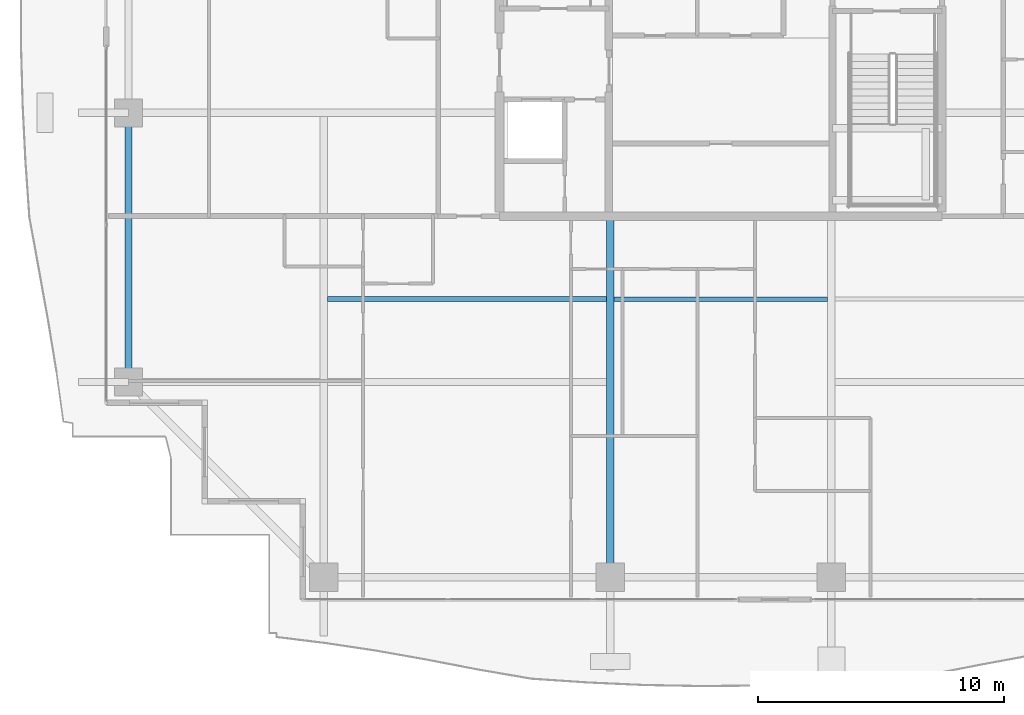
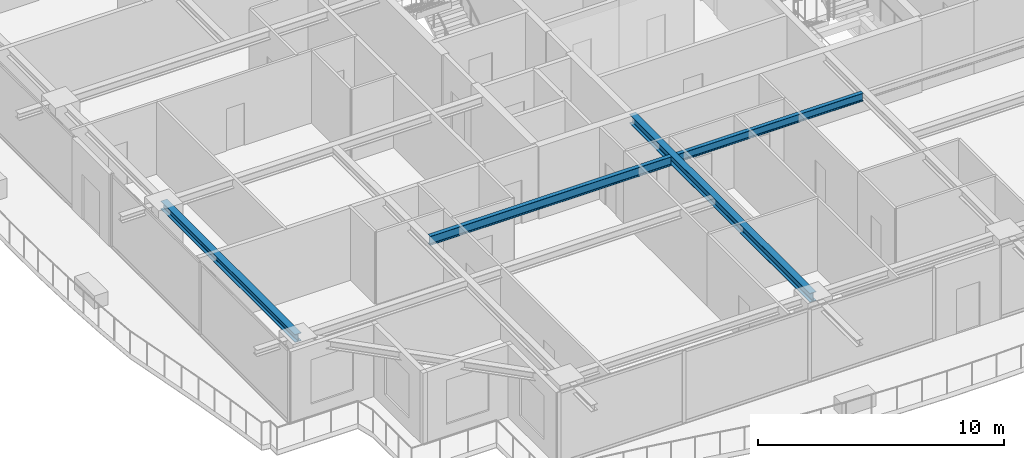
# One storey, part 7 of 36: 4 beams.
"""IFC4 building model written with IfcOpenShell, lengths in metres."""

import ifcopenshell
import ifcopenshell.guid

model = None  # the IFC model being written
_history = None  # IfcOwnerHistory: only IFC2X3 demands one
_inside = {}  # id of a spatial element -> (the spatial element, [elements in it])
_under = {}  # id of a project, library or spatial element -> (it, [spatial elements below it])
_declared = {}  # id of a project -> (the project, [libraries it declares])
_typed = {}  # id of a type object -> (the type object, [elements of that type])
_made_of = {}  # id of a material, layer set ... -> (it, [elements and type objects made of it])


def new_model(schema):
    """Start an empty IFC model of exactly this schema.

    Asked for "IFC4X3", IfcOpenShell would pick the latest addendum, in which some entities
    have other attributes; the version numbers below select the first issue.
    IFC2X3 requires an IfcOwnerHistory on every rooted entity: one is made here for all.
    """
    global model, _history
    if schema == "IFC4X3":
        model = ifcopenshell.file(schema_version=(4, 3, 0, 0))
    else:
        model = ifcopenshell.file(schema=schema)
    _inside.clear()
    _under.clear()
    _declared.clear()
    _typed.clear()
    _made_of.clear()
    _history = None
    if model.schema == "IFC2X3":
        org = make("IfcOrganization", Name="unknown")
        user = make(
            "IfcPersonAndOrganization",
            ThePerson=make("IfcPerson", FamilyName="unknown"),
            TheOrganization=org,
        )
        app = make(
            "IfcApplication",
            ApplicationDeveloper=org,
            Version="unknown",
            ApplicationFullName="unknown",
            ApplicationIdentifier="unknown",
        )
        _history = make(
            "IfcOwnerHistory",
            OwningUser=user,
            OwningApplication=app,
            ChangeAction="ADDED",
            CreationDate=0,
        )
    return model


def make(cls, **values):
    """One entity of the class cls with the attributes given. An attribute that is None is left unset."""
    return model.create_entity(
        cls, **{name: value for name, value in values.items() if value is not None}
    )


def rooted(cls, **values):
    """An entity with a GlobalId (a new one), such as an element, a storey or a relation."""
    return make(cls, GlobalId=ifcopenshell.guid.new(), OwnerHistory=_history, **values)


def si_unit(unit_type, name, prefix=None):
    """IfcSIUnit, for example si_unit("LENGTHUNIT", "METRE", prefix="MILLI")."""
    return make("IfcSIUnit", UnitType=unit_type, Prefix=prefix, Name=name)


def assignment(units):
    """IfcUnitAssignment: the units of a project."""
    return None if units is None else make("IfcUnitAssignment", Units=units)


def point(xyz):
    """IfcCartesianPoint."""
    return None if xyz is None else make("IfcCartesianPoint", Coordinates=xyz)


def direction(xyz):
    """IfcDirection."""
    return None if xyz is None else make("IfcDirection", DirectionRatios=xyz)


def frame(location, z_axis=None, x_axis=None):
    """IfcAxis2Placement3D, a coordinate frame: its origin and axes. An axis left out is left unset."""
    return make(
        "IfcAxis2Placement3D",
        Location=point(location),
        Axis=direction(z_axis),
        RefDirection=direction(x_axis),
    )


def frame_2d(location, x_axis=None):
    """IfcAxis2Placement2D, a coordinate frame in the plane: its origin and x axis."""
    return make(
        "IfcAxis2Placement2D", Location=point(location), RefDirection=direction(x_axis)
    )


def origin():
    """The frame at (0, 0, 0) with its axes left unset."""
    return frame((0.0, 0.0, 0.0))


def origin_2d():
    """The frame at (0, 0) in the plane with its x axis left unset."""
    return frame_2d((0.0, 0.0))


def place(relative_to, where):
    """IfcLocalPlacement: puts the frame where relative to a parent placement (None: the world)."""
    return make(
        "IfcLocalPlacement", PlacementRelTo=relative_to, RelativePlacement=where
    )


def context(
    kind, dimensions, precision=None, world=None, true_north=None, identifier=None
):
    """IfcGeometricRepresentationContext, for example the 3D "Model" context."""
    return make(
        "IfcGeometricRepresentationContext",
        ContextIdentifier=identifier,
        ContextType=kind,
        CoordinateSpaceDimension=dimensions,
        Precision=precision,
        WorldCoordinateSystem=world,
        TrueNorth=true_north,
    )


def subcontext(parent, identifier, kind, view, scale=None):
    """IfcGeometricRepresentationSubContext, for example "Body" below "Model"."""
    return make(
        "IfcGeometricRepresentationSubContext",
        ContextIdentifier=identifier,
        ContextType=kind,
        ParentContext=parent,
        TargetScale=scale,
        TargetView=view,
    )


def project(units=None, contexts=None):
    """IfcProject with its units and contexts."""
    return rooted(
        "IfcProject",
        Name="project",
        RepresentationContexts=contexts,
        UnitsInContext=assignment(units),
    )


def spatial(cls, under=None, at=None, **own):
    """A site, building, storey or space (cls), placed at a placement, below another one or the project."""
    s = rooted(cls, ObjectPlacement=at, **own)
    if under is not None:
        _under.setdefault(under.id(), (under, []))[1].append(s)
    return s


def profile(cls, at=None, kind="AREA", **sizes):
    """A parametric profile (cls). Its sizes go by their IFC names, for example OverallWidth=200.0."""
    return make(cls, ProfileType=kind, Position=at, **sizes)


def i_section(**sizes):
    """IfcIShapeProfileDef."""
    return profile("IfcIShapeProfileDef", **sizes)


def extrude(swept, where, along, depth):
    """IfcExtrudedAreaSolid: the profile swept, set in the frame where, extruded along a direction by depth."""
    return make(
        "IfcExtrudedAreaSolid",
        SweptArea=swept,
        Position=where,
        ExtrudedDirection=direction(along),
        Depth=depth,
    )


def shape(context_of_items, identifier, shape_type, items):
    """IfcShapeRepresentation: the items that make up one representation, for example the "Body"."""
    return make(
        "IfcShapeRepresentation",
        ContextOfItems=context_of_items,
        RepresentationIdentifier=identifier,
        RepresentationType=shape_type,
        Items=items,
    )


def source(mapping_origin, context_of_items, identifier, shape_type, items):
    """IfcRepresentationMap: a shape defined once, which mapped items show again and again."""
    return make(
        "IfcRepresentationMap",
        MappingOrigin=mapping_origin,
        MappedRepresentation=shape(context_of_items, identifier, shape_type, items),
    )


def transform(
    local_origin,
    x_axis=None,
    y_axis=None,
    z_axis=None,
    scale=None,
    scale2=None,
    scale3=None,
    uniform=True,
):
    """IfcCartesianTransformationOperator3D, or its non-uniform kind. x_axis, y_axis, z_axis: its Axis1, 2, 3."""
    if uniform:
        return make(
            "IfcCartesianTransformationOperator3D",
            Axis1=direction(x_axis),
            Axis2=direction(y_axis),
            LocalOrigin=point(local_origin),
            Scale=scale,
            Axis3=direction(z_axis),
        )
    return make(
        "IfcCartesianTransformationOperator3DnonUniform",
        Axis1=direction(x_axis),
        Axis2=direction(y_axis),
        LocalOrigin=point(local_origin),
        Scale=scale,
        Axis3=direction(z_axis),
        Scale2=scale2,
        Scale3=scale3,
    )


def mapped(mapping_source, mapping_target):
    """IfcMappedItem: shows the shape of a source again, moved by a transform."""
    return make(
        "IfcMappedItem", MappingSource=mapping_source, MappingTarget=mapping_target
    )


def material(Name=None, Category=None):
    """IfcMaterial."""
    return make("IfcMaterial", Name=Name, Category=Category)


def material_profile(
    of_material, cross_section, Name=None, Category=None, Priority=None
):
    """IfcMaterialProfile: a cross section and its material."""
    return make(
        "IfcMaterialProfile",
        Name=Name,
        Material=of_material,
        Profile=cross_section,
        Priority=Priority,
        Category=Category,
    )


def profile_set(profiles, Name=None, composite=None):
    """IfcMaterialProfileSet."""
    return make(
        "IfcMaterialProfileSet",
        Name=Name,
        MaterialProfiles=profiles,
        CompositeProfile=composite,
    )


def made_of(thing, what):
    """Note that an element or type object is made of a material, layer set ...; save() writes the relation."""
    if what is not None:
        _made_of.setdefault(what.id(), (what, []))[1].append(thing)
    return thing


def type_object(cls, material=None, **own):
    """A type object (cls), such as IfcWallType, which elements share."""
    return made_of(rooted(cls, **own), material)


def element(
    cls,
    number,
    at=None,
    inside=None,
    cuts=None,
    type_object=None,
    material=None,
    context=None,
    identifier="Body",
    shape_type=None,
    held_by="IfcProductDefinitionShape",
    body=None,
    shapes=None,
    **own,
):
    """One element of the class cls, such as IfcWall. Its Tag is "e" and its number.

    at: its placement. inside: the storey or other place that contains it. cuts: it is an
    opening in that element (IfcRelVoidsElement). A single representation is given by context,
    identifier, shape_type and body (its items); several are given by shapes. held_by: the class
    of the entity that holds the representations. save() writes the other relations.
    """
    e = rooted(cls, Tag="e%d" % number, ObjectPlacement=at, **own)
    if body is not None:
        shapes = [shape(context, identifier, shape_type, body)]
    if shapes is not None:
        e.Representation = make(held_by, Representations=shapes)
    if inside is not None:
        _inside.setdefault(inside.id(), (inside, []))[1].append(e)
    if cuts is not None:
        rooted(
            "IfcRelVoidsElement", RelatingBuildingElement=cuts, RelatedOpeningElement=e
        )
    if type_object is not None:
        _typed.setdefault(type_object.id(), (type_object, []))[1].append(e)
    return made_of(e, material)


def aggregate(whole, parts):
    """IfcRelAggregates: a whole, such as a stair, and the parts it consists of."""
    return rooted("IfcRelAggregates", RelatingObject=whole, RelatedObjects=parts)


def save(model, path):
    """Write the relations noted so far, then the file.

    IfcRelAggregates (storeys below a building ...), IfcRelContainedInSpatialStructure (elements
    in a storey), IfcRelDefinesByType, IfcRelAssociatesMaterial and IfcRelDeclares: one each for
    every whole, place, type object, material and project.
    """
    for whole, parts in _under.values():
        aggregate(whole, parts)
    for where, things in _inside.values():
        rooted(
            "IfcRelContainedInSpatialStructure",
            RelatedElements=things,
            RelatingStructure=where,
        )
    for kind, things in _typed.values():
        rooted("IfcRelDefinesByType", RelatedObjects=things, RelatingType=kind)
    for what, things in _made_of.values():
        rooted("IfcRelAssociatesMaterial", RelatedObjects=things, RelatingMaterial=what)
    for by, libraries in _declared.values():
        rooted("IfcRelDeclares", RelatingContext=by, RelatedDefinitions=libraries)
    model.write(path)


model = new_model("IFC4")

# Units and contexts
model_context = context("Model", 3, precision=1e-05, world=origin(), true_north=direction((0.0, 1.0)))
body_context = subcontext(model_context, "Body", "Model", "MODEL_VIEW")
ifc_project = project(units=[si_unit("LENGTHUNIT", "METRE"), si_unit("AREAUNIT", "SQUARE_METRE"), si_unit("VOLUMEUNIT", "CUBIC_METRE"), si_unit("PLANEANGLEUNIT", "RADIAN"), si_unit("MASSUNIT", "GRAM", prefix="KILO")], contexts=[model_context])

# Site, building, storey
site_placement = place(None, origin())
site = spatial("IfcSite", under=ifc_project, at=site_placement, CompositionType="ELEMENT")
building_placement = place(site_placement, origin())
building = spatial("IfcBuilding", under=site, at=building_placement, Name="Serunith Strait Residences", CompositionType="ELEMENT")
storey_placement = place(building_placement, frame((0.0, 0.0, 225.85009765625)))
storey = spatial("IfcBuildingStorey", under=building, at=storey_placement, Name="L56", CompositionType="ELEMENT", Elevation=225.85009765625)

# Beams
ifc_material = material(Name="Steel S355J2", Category="steel")
ifc_material_profile_1 = material_profile(ifc_material, i_section(OverallWidth=0.179931640625, OverallDepth=0.39990234375, WebThickness=0.008544921875, FlangeThickness=0.013427734375, FilletRadius=0.02099609375, at=origin_2d()), Name="IPE 400")
ifc_profile_set_1 = profile_set([ifc_material_profile_1], Name="Steel S355J2")
beam_type_1 = type_object("IfcBeamType", Name="BM-IPE400", PredefinedType="JOIST", material=ifc_profile_set_1)
shared_shape_1 = source(origin(), body_context, "Body", "SweptSolid", [
    extrude(i_section(OverallWidth=0.179931640625, OverallDepth=0.39990234375, WebThickness=0.008544921875, FlangeThickness=0.013427734375, FilletRadius=0.02099609375, at=origin_2d()), origin(), (0.0, 0.0, 1.0), 8.699951171875),
])
beam_1_placement = place(storey_placement, frame((28.050048828125, 13.425048828125, 3.386962890625), z_axis=(1.0, 0.0, 0.0), x_axis=(0.0, 1.0, 0.0)))
element("IfcBeam", 1, at=beam_1_placement, inside=storey, type_object=beam_type_1, Name="L56 Composite Floor Joist 02", PredefinedType="JOIST", context=body_context, shape_type="MappedRepresentation", body=[
    mapped(shared_shape_1, transform((0.0, 0.0, 0.0), scale=1.0)),
])
ifc_material_profile_2 = material_profile(ifc_material, i_section(OverallWidth=0.300048828125, OverallDepth=0.449951171875, WebThickness=0.013916015625, FlangeThickness=0.02587890625, FilletRadius=0.027099609375, at=origin_2d()), Name="HEB 450")
ifc_profile_set_2 = profile_set([ifc_material_profile_2], Name="Steel S355J2")
beam_type_2 = type_object("IfcBeamType", Name="BM-HEB450", PredefinedType="BEAM", material=ifc_profile_set_2)
shared_shape_2 = source(origin(), body_context, "Body", "SweptSolid", [
    extrude(i_section(OverallWidth=0.300048828125, OverallDepth=0.449951171875, WebThickness=0.013916015625, FlangeThickness=0.02587890625, FilletRadius=0.027099609375, at=origin_2d()), origin(), (0.0, 0.0, 1.0), 14.699951171875),
])
beam_2_placement = place(storey_placement, frame((27.89990234375, 16.800048828125, 3.36181640625), z_axis=(0.0, -1.0, 0.0), x_axis=(1.0, 0.0, 0.0)))
element("IfcBeam", 2, at=beam_2_placement, inside=storey, type_object=beam_type_2, Name="L56 Primary Floor Girder TC-S2", PredefinedType="BEAM", context=body_context, shape_type="MappedRepresentation", body=[
    mapped(shared_shape_2, transform((0.0, 0.0, 0.0), scale=1.0)),
])
ifc_material_profile_3 = material_profile(ifc_material, i_section(OverallWidth=0.300048828125, OverallDepth=0.39990234375, WebThickness=0.013427734375, FlangeThickness=0.02392578125, FilletRadius=0.027099609375, at=origin_2d()), Name="HEB 400")
ifc_profile_set_3 = profile_set([ifc_material_profile_3], Name="Steel S355J2")
beam_type_3 = type_object("IfcBeamType", Name="BM-HEB400", PredefinedType="BEAM", material=ifc_profile_set_3)
shared_shape_3 = source(origin(), body_context, "Body", "SweptSolid", [
    extrude(i_section(OverallWidth=0.300048828125, OverallDepth=0.39990234375, WebThickness=0.013427734375, FlangeThickness=0.02392578125, FilletRadius=0.027099609375, at=origin_2d()), origin(), (0.0, 0.0, 1.0), 10.949951171875),
])
beam_3_placement = place(storey_placement, frame((8.300048828125, 21.0, 3.386962890625), z_axis=(0.0, -1.0, 0.0), x_axis=(1.0, 0.0, 0.0)))
element("IfcBeam", 3, at=beam_3_placement, inside=storey, type_object=beam_type_3, Name="L56 Perimeter Ring Beam 15", PredefinedType="BEAM", context=body_context, shape_type="MappedRepresentation", body=[
    mapped(shared_shape_3, transform((0.0, 0.0, 0.0), scale=1.0)),
])
ifc_material_profile_4 = material_profile(ifc_material, i_section(OverallWidth=0.18994140625, OverallDepth=0.449951171875, WebThickness=0.009521484375, FlangeThickness=0.0146484375, FilletRadius=0.02099609375, at=origin_2d()), Name="IPE 450")
ifc_profile_set_4 = profile_set([ifc_material_profile_4], Name="Steel S355J2")
beam_type_4 = type_object("IfcBeamType", Name="BM-IPE450", PredefinedType="JOIST", material=ifc_profile_set_4)
shared_shape_4 = source(origin(), body_context, "Body", "SweptSolid", [
    extrude(i_section(OverallWidth=0.18994140625, OverallDepth=0.449951171875, WebThickness=0.009521484375, FlangeThickness=0.0146484375, FilletRadius=0.02099609375, at=origin_2d()), origin(), (0.0, 0.0, 1.0), 11.35009765625),
])
beam_4_placement = place(storey_placement, frame((16.39990234375, 13.425048828125, 3.36181640625), z_axis=(1.0, 0.0, 0.0), x_axis=(0.0, 1.0, 0.0)))
element("IfcBeam", 4, at=beam_4_placement, inside=storey, type_object=beam_type_4, Name="L56 Composite Floor Joist 01", PredefinedType="JOIST", context=body_context, shape_type="MappedRepresentation", body=[
    mapped(shared_shape_4, transform((0.0, 0.0, 0.0), scale=1.0)),
])

save(model, "model.ifc")
